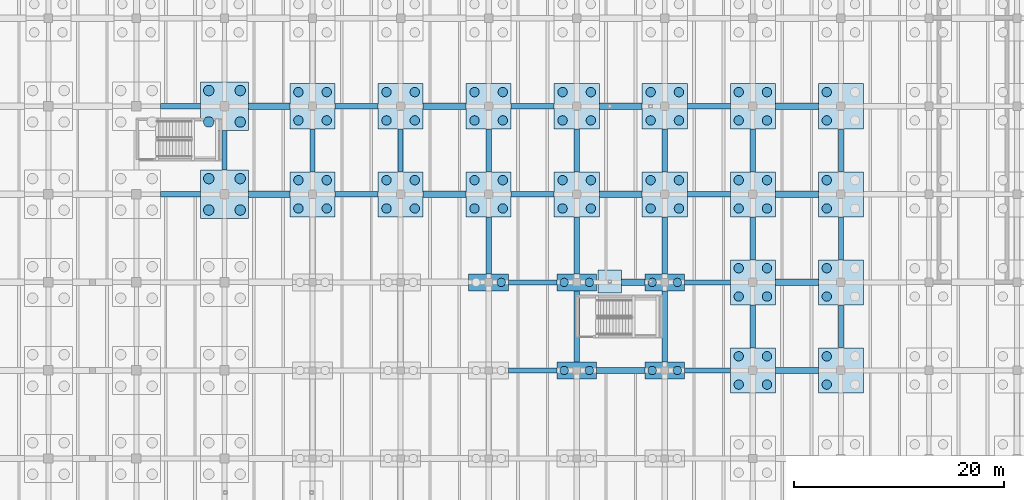
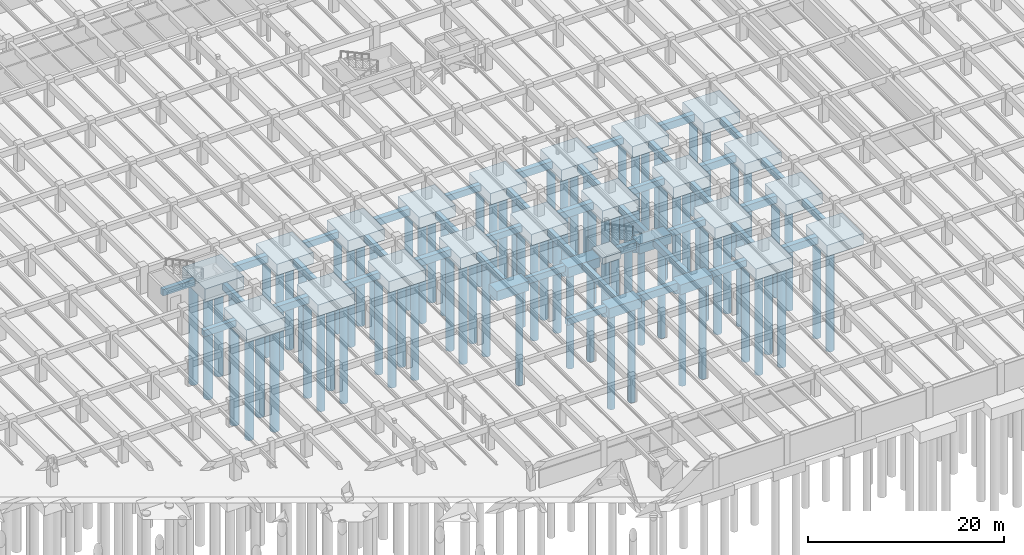
# One storey, part 5 of 70: 81 piles, 67 footings.
"""IFC4 building model written with IfcOpenShell, lengths in metres."""

from ifc_helpers import new_model, si_unit, direction, frame, origin, origin_2d, place, context, subcontext, project, spatial, rectangle, circle, extrude, material, material_profile, profile_set, type_object, element, save


model = new_model("IFC4")

# Units and contexts
model_context = context("Model", 3, precision=1e-05, world=origin(), true_north=direction((0.0, 1.0)))
body_context = subcontext(model_context, "Body", "Model", "MODEL_VIEW")
ifc_project = project(units=[si_unit("LENGTHUNIT", "METRE"), si_unit("AREAUNIT", "SQUARE_METRE"), si_unit("VOLUMEUNIT", "CUBIC_METRE"), si_unit("PLANEANGLEUNIT", "RADIAN"), si_unit("MASSUNIT", "GRAM", prefix="KILO")], contexts=[model_context])

# Site, building, storey
site_placement = place(None, origin())
site = spatial("IfcSite", under=ifc_project, at=site_placement, CompositionType="ELEMENT")
building_placement = place(site_placement, origin())
building = spatial("IfcBuilding", under=site, at=building_placement, Name="Cumbredor Promenade Congress Hotel", CompositionType="ELEMENT")
storey_placement = place(building_placement, frame((0.0, 0.0, -7.56005859375)))
storey = spatial("IfcBuildingStorey", under=building, at=storey_placement, Name="B02", CompositionType="ELEMENT", Elevation=-7.56005859375)

# Piles
ifc_material = material(Name="Concrete C40/50", Category="concrete")
ifc_material_profile_1 = material_profile(ifc_material, circle(Radius=0.39990234375, at=origin_2d()), Name="PILE D800")
ifc_profile_set_1 = profile_set([ifc_material_profile_1], Name="Concrete C40/50")
pile_type_1 = type_object("IfcPileType", Name="Bored Concrete Pile BP-01 800mm", PredefinedType="BORED", material=ifc_profile_set_1)
for number, where, z_axis, x_axis, name in (
    (1, (93.60009765625, 50.39990234375, -1.550048828125), (0.0, 0.0, -1.0), (1.0, 0.0, 0.0), "Bored Pile PC-01-147.2"),
    (2, (99.60009765625, 42.0, -1.550048828125), (0.0, 0.0, -1.0), (1.0, 0.0, 0.0), "Bored Pile PC-01-160.1"),
    (3, (102.0, 42.0, -1.550048828125), (0.0, 0.0, -1.0), (1.0, 0.0, 0.0), "Bored Pile PC-01-160.2"),
    (4, (99.60009765625, 50.39990234375, -1.550048828125), (0.0, 0.0, -1.0), (1.0, 0.0, 0.0), "Bored Pile PC-01-161.1"),
    (5, (102.0, 50.39990234375, -1.550048828125), (0.0, 0.0, -1.0), (1.0, 0.0, 0.0), "Bored Pile PC-01-161.2"),
    (6, (108.0, 42.0, -1.550048828125), (0.0, 0.0, -1.0), (1.0, 0.0, 0.0), "Bored Pile PC-01-174.1"),
    (7, (110.39990234375, 42.0, -1.550048828125), (0.0, 0.0, -1.0), (1.0, 0.0, 0.0), "Bored Pile PC-01-174.2"),
    (8, (108.0, 50.39990234375, -1.550048828125), (0.0, 0.0, -1.0), (1.0, 0.0, 0.0), "Bored Pile PC-01-175.1"),
    (9, (110.39990234375, 50.39990234375, -1.550048828125), (0.0, 0.0, -1.0), (1.0, 0.0, 0.0), "Bored Pile PC-01-175.2"),
):
    element("IfcPile", number, at=place(storey_placement, frame(where, z_axis=z_axis, x_axis=x_axis)), inside=storey, type_object=pile_type_1, Name=name, PredefinedType="BORED", context=body_context, shape_type="SweptSolid", body=[
        extrude(circle(Radius=0.39990234375, at=origin_2d()), origin(), (0.0, 0.0, 1.0), 12.0),
    ])
ifc_material_profile_2 = material_profile(ifc_material, circle(Radius=0.449951171875, at=origin_2d()), Name="PILE D900")
ifc_profile_set_2 = profile_set([ifc_material_profile_2], Name="Concrete C40/50")
pile_type_2 = type_object("IfcPileType", Name="Bored Concrete Pile BP-02 900mm", PredefinedType="BORED", material=ifc_profile_set_2)
for number, where, z_axis, x_axis, name in (
    (10, (74.25, 57.449951171875, -1.75), (0.0, 0.0, -1.0), (1.0, 0.0, 0.0), "Bored Pile PC-02-120.1"),
    (11, (76.949951171875, 57.449951171875, -1.75), (0.0, 0.0, -1.0), (1.0, 0.0, 0.0), "Bored Pile PC-02-120.2"),
    (12, (74.25, 60.14990234375, -1.75), (0.0, 0.0, -1.0), (1.0, 0.0, 0.0), "Bored Pile PC-02-120.3"),
    (13, (76.949951171875, 60.14990234375, -1.75), (0.0, 0.0, -1.0), (1.0, 0.0, 0.0), "Bored Pile PC-02-120.4"),
    (14, (74.25, 65.85009765625, -1.75), (0.0, 0.0, -1.0), (1.0, 0.0, 0.0), "Bored Pile PC-02-121.1"),
    (15, (76.949951171875, 65.85009765625, -1.75), (0.0, 0.0, -1.0), (1.0, 0.0, 0.0), "Bored Pile PC-02-121.2"),
    (16, (74.25, 68.550048828125, -1.75), (0.0, 0.0, -1.0), (1.0, 0.0, 0.0), "Bored Pile PC-02-121.3"),
    (17, (76.949951171875, 68.550048828125, -1.75), (0.0, 0.0, -1.0), (1.0, 0.0, 0.0), "Bored Pile PC-02-121.4"),
    (18, (82.64990234375, 57.449951171875, -1.75), (0.0, 0.0, -1.0), (1.0, 0.0, 0.0), "Bored Pile PC-02-134.1"),
    (19, (85.35009765625, 57.449951171875, -1.75), (0.0, 0.0, -1.0), (1.0, 0.0, 0.0), "Bored Pile PC-02-134.2"),
    (20, (82.64990234375, 60.14990234375, -1.75), (0.0, 0.0, -1.0), (1.0, 0.0, 0.0), "Bored Pile PC-02-134.3"),
    (21, (85.35009765625, 60.14990234375, -1.75), (0.0, 0.0, -1.0), (1.0, 0.0, 0.0), "Bored Pile PC-02-134.4"),
    (22, (82.64990234375, 65.85009765625, -1.75), (0.0, 0.0, -1.0), (1.0, 0.0, 0.0), "Bored Pile PC-02-135.1"),
    (23, (85.35009765625, 65.85009765625, -1.75), (0.0, 0.0, -1.0), (1.0, 0.0, 0.0), "Bored Pile PC-02-135.2"),
    (24, (82.64990234375, 68.550048828125, -1.75), (0.0, 0.0, -1.0), (1.0, 0.0, 0.0), "Bored Pile PC-02-135.3"),
    (25, (85.35009765625, 68.550048828125, -1.75), (0.0, 0.0, -1.0), (1.0, 0.0, 0.0), "Bored Pile PC-02-135.4"),
    (26, (91.050048828125, 57.449951171875, -1.75), (0.0, 0.0, -1.0), (1.0, 0.0, 0.0), "Bored Pile PC-02-148.1"),
    (27, (93.75, 57.449951171875, -1.75), (0.0, 0.0, -1.0), (1.0, 0.0, 0.0), "Bored Pile PC-02-148.2"),
    (28, (91.050048828125, 60.14990234375, -1.75), (0.0, 0.0, -1.0), (1.0, 0.0, 0.0), "Bored Pile PC-02-148.3"),
    (29, (93.75, 60.14990234375, -1.75), (0.0, 0.0, -1.0), (1.0, 0.0, 0.0), "Bored Pile PC-02-148.4"),
    (30, (91.050048828125, 65.85009765625, -1.75), (0.0, 0.0, -1.0), (1.0, 0.0, 0.0), "Bored Pile PC-02-149.1"),
    (31, (93.75, 65.85009765625, -1.75), (0.0, 0.0, -1.0), (1.0, 0.0, 0.0), "Bored Pile PC-02-149.2"),
    (32, (91.050048828125, 68.550048828125, -1.75), (0.0, 0.0, -1.0), (1.0, 0.0, 0.0), "Bored Pile PC-02-149.3"),
    (33, (93.75, 68.550048828125, -1.75), (0.0, 0.0, -1.0), (1.0, 0.0, 0.0), "Bored Pile PC-02-149.4"),
    (34, (99.449951171875, 57.449951171875, -1.75), (0.0, 0.0, -1.0), (1.0, 0.0, 0.0), "Bored Pile PC-02-162.1"),
    (35, (102.14990234375, 57.449951171875, -1.75), (0.0, 0.0, -1.0), (1.0, 0.0, 0.0), "Bored Pile PC-02-162.2"),
    (36, (99.449951171875, 60.14990234375, -1.75), (0.0, 0.0, -1.0), (1.0, 0.0, 0.0), "Bored Pile PC-02-162.3"),
    (37, (102.14990234375, 60.14990234375, -1.75), (0.0, 0.0, -1.0), (1.0, 0.0, 0.0), "Bored Pile PC-02-162.4"),
    (38, (99.449951171875, 65.85009765625, -1.75), (0.0, 0.0, -1.0), (1.0, 0.0, 0.0), "Bored Pile PC-02-163.1"),
    (39, (102.14990234375, 65.85009765625, -1.75), (0.0, 0.0, -1.0), (1.0, 0.0, 0.0), "Bored Pile PC-02-163.2"),
    (40, (99.449951171875, 68.550048828125, -1.75), (0.0, 0.0, -1.0), (1.0, 0.0, 0.0), "Bored Pile PC-02-163.3"),
    (41, (102.14990234375, 68.550048828125, -1.75), (0.0, 0.0, -1.0), (1.0, 0.0, 0.0), "Bored Pile PC-02-163.4"),
    (42, (107.85009765625, 57.449951171875, -1.75), (0.0, 0.0, -1.0), (1.0, 0.0, 0.0), "Bored Pile PC-02-176.1"),
    (43, (110.550048828125, 57.449951171875, -1.75), (0.0, 0.0, -1.0), (1.0, 0.0, 0.0), "Bored Pile PC-02-176.2"),
    (44, (107.85009765625, 60.14990234375, -1.75), (0.0, 0.0, -1.0), (1.0, 0.0, 0.0), "Bored Pile PC-02-176.3"),
    (45, (110.550048828125, 60.14990234375, -1.75), (0.0, 0.0, -1.0), (1.0, 0.0, 0.0), "Bored Pile PC-02-176.4"),
    (46, (107.85009765625, 65.85009765625, -1.75), (0.0, 0.0, -1.0), (1.0, 0.0, 0.0), "Bored Pile PC-02-177.1"),
    (47, (110.550048828125, 65.85009765625, -1.75), (0.0, 0.0, -1.0), (1.0, 0.0, 0.0), "Bored Pile PC-02-177.2"),
    (48, (107.85009765625, 68.550048828125, -1.75), (0.0, 0.0, -1.0), (1.0, 0.0, 0.0), "Bored Pile PC-02-177.3"),
    (49, (110.550048828125, 68.550048828125, -1.75), (0.0, 0.0, -1.0), (1.0, 0.0, 0.0), "Bored Pile PC-02-177.4"),
    (50, (116.25, 40.64990234375, -1.75), (0.0, 0.0, -1.0), (1.0, 0.0, 0.0), "Bored Pile PC-02-188.1"),
    (51, (118.949951171875, 40.64990234375, -1.75), (0.0, 0.0, -1.0), (1.0, 0.0, 0.0), "Bored Pile PC-02-188.2"),
    (52, (116.25, 43.35009765625, -1.75), (0.0, 0.0, -1.0), (1.0, 0.0, 0.0), "Bored Pile PC-02-188.3"),
    (53, (118.949951171875, 43.35009765625, -1.75), (0.0, 0.0, -1.0), (1.0, 0.0, 0.0), "Bored Pile PC-02-188.4"),
    (54, (116.25, 49.050048828125, -1.75), (0.0, 0.0, -1.0), (1.0, 0.0, 0.0), "Bored Pile PC-02-189.1"),
    (55, (118.949951171875, 49.050048828125, -1.75), (0.0, 0.0, -1.0), (1.0, 0.0, 0.0), "Bored Pile PC-02-189.2"),
    (56, (116.25, 51.75, -1.75), (0.0, 0.0, -1.0), (1.0, 0.0, 0.0), "Bored Pile PC-02-189.3"),
    (57, (118.949951171875, 51.75, -1.75), (0.0, 0.0, -1.0), (1.0, 0.0, 0.0), "Bored Pile PC-02-189.4"),
    (58, (116.25, 57.449951171875, -1.75), (0.0, 0.0, -1.0), (1.0, 0.0, 0.0), "Bored Pile PC-02-190.1"),
    (59, (118.949951171875, 57.449951171875, -1.75), (0.0, 0.0, -1.0), (1.0, 0.0, 0.0), "Bored Pile PC-02-190.2"),
    (60, (116.25, 60.14990234375, -1.75), (0.0, 0.0, -1.0), (1.0, 0.0, 0.0), "Bored Pile PC-02-190.3"),
    (61, (118.949951171875, 60.14990234375, -1.75), (0.0, 0.0, -1.0), (1.0, 0.0, 0.0), "Bored Pile PC-02-190.4"),
    (62, (116.25, 65.85009765625, -1.75), (0.0, 0.0, -1.0), (1.0, 0.0, 0.0), "Bored Pile PC-02-191.1"),
    (63, (118.949951171875, 65.85009765625, -1.75), (0.0, 0.0, -1.0), (1.0, 0.0, 0.0), "Bored Pile PC-02-191.2"),
    (64, (116.25, 68.550048828125, -1.75), (0.0, 0.0, -1.0), (1.0, 0.0, 0.0), "Bored Pile PC-02-191.3"),
    (65, (118.949951171875, 68.550048828125, -1.75), (0.0, 0.0, -1.0), (1.0, 0.0, 0.0), "Bored Pile PC-02-191.4"),
    (66, (124.64990234375, 40.64990234375, -1.75), (0.0, 0.0, -1.0), (1.0, 0.0, 0.0), "Bored Pile PC-02-202.1"),
    (67, (124.64990234375, 43.35009765625, -1.75), (0.0, 0.0, -1.0), (1.0, 0.0, 0.0), "Bored Pile PC-02-202.3"),
    (68, (124.64990234375, 49.050048828125, -1.75), (0.0, 0.0, -1.0), (1.0, 0.0, 0.0), "Bored Pile PC-02-203.1"),
    (69, (124.64990234375, 51.75, -1.75), (0.0, 0.0, -1.0), (1.0, 0.0, 0.0), "Bored Pile PC-02-203.3"),
    (70, (124.64990234375, 57.449951171875, -1.75), (0.0, 0.0, -1.0), (1.0, 0.0, 0.0), "Bored Pile PC-02-204.1"),
    (71, (124.64990234375, 60.14990234375, -1.75), (0.0, 0.0, -1.0), (1.0, 0.0, 0.0), "Bored Pile PC-02-204.3"),
    (72, (124.64990234375, 65.85009765625, -1.75), (0.0, 0.0, -1.0), (1.0, 0.0, 0.0), "Bored Pile PC-02-205.1"),
    (73, (124.64990234375, 68.550048828125, -1.75), (0.0, 0.0, -1.0), (1.0, 0.0, 0.0), "Bored Pile PC-02-205.3"),
):
    element("IfcPile", number, at=place(storey_placement, frame(where, z_axis=z_axis, x_axis=x_axis)), inside=storey, type_object=pile_type_2, Name=name, PredefinedType="BORED", context=body_context, shape_type="SweptSolid", body=[
        extrude(circle(Radius=0.449951171875, at=origin_2d()), origin(), (0.0, 0.0, 1.0), 12.5),
    ])
ifc_material_profile_3 = material_profile(ifc_material, circle(Radius=0.5, at=origin_2d()), Name="PILE D1000")
ifc_profile_set_3 = profile_set([ifc_material_profile_3], Name="Concrete C40/50")
pile_type_3 = type_object("IfcPileType", Name="Bored Concrete Pile BP-03 1000mm", PredefinedType="BORED", material=ifc_profile_set_3)
for number, where, z_axis, x_axis, name in (
    (74, (65.699951171875, 57.300048828125, -1.949951171875), (0.0, 0.0, -1.0), (1.0, 0.0, 0.0), "Bored Pile PC-03-106.1"),
    (75, (68.699951171875, 57.300048828125, -1.949951171875), (0.0, 0.0, -1.0), (1.0, 0.0, 0.0), "Bored Pile PC-03-106.2"),
    (76, (65.699951171875, 60.300048828125, -1.949951171875), (0.0, 0.0, -1.0), (1.0, 0.0, 0.0), "Bored Pile PC-03-106.3"),
    (77, (68.699951171875, 60.300048828125, -1.949951171875), (0.0, 0.0, -1.0), (1.0, 0.0, 0.0), "Bored Pile PC-03-106.4"),
    (78, (65.699951171875, 65.699951171875, -1.949951171875), (0.0, 0.0, -1.0), (1.0, 0.0, 0.0), "Bored Pile PC-03-107.1"),
    (79, (68.699951171875, 65.699951171875, -1.949951171875), (0.0, 0.0, -1.0), (1.0, 0.0, 0.0), "Bored Pile PC-03-107.2"),
    (80, (65.699951171875, 68.699951171875, -1.949951171875), (0.0, 0.0, -1.0), (1.0, 0.0, 0.0), "Bored Pile PC-03-107.3"),
    (81, (68.699951171875, 68.699951171875, -1.949951171875), (0.0, 0.0, -1.0), (1.0, 0.0, 0.0), "Bored Pile PC-03-107.4"),
):
    element("IfcPile", number, at=place(storey_placement, frame(where, z_axis=z_axis, x_axis=x_axis)), inside=storey, type_object=pile_type_3, Name=name, PredefinedType="BORED", context=body_context, shape_type="SweptSolid", body=[
        extrude(circle(Radius=0.5, at=origin_2d()), origin(), (0.0, 0.0, 1.0), 12.800048828125),
    ])

# Footings
ifc_material_profile_4 = material_profile(ifc_material, rectangle(XDim=0.5, YDim=0.800048828125, at=origin_2d()), Name="FB 500x800")
ifc_profile_set_4 = profile_set([ifc_material_profile_4], Name="Concrete C40/50")
footing_type_1 = type_object("IfcFootingType", Name="Concrete Footing Tie Beam FB-01 500x800", PredefinedType="FOOTING_BEAM", material=ifc_profile_set_4)
for number, where, z_axis, x_axis, name in (
    (82, (61.10205078125, 58.800048828125, -0.89990234375), (1.0, 0.0, 0.0), (0.0, 1.0, 0.0), "Seismic Footing Tie Beam FB-167"),
    (83, (61.10205078125, 67.199951171875, -0.89990234375), (1.0, 0.0, 0.0), (0.0, 1.0, 0.0), "Seismic Footing Tie Beam FB-169"),
    (84, (67.199951171875, 61.10205078125, -0.89990234375), (0.0, 1.0, 0.0), (-1.0, 0.0, 0.0), "Seismic Footing Tie Beam FB-195"),
):
    element("IfcFooting", number, at=place(storey_placement, frame(where, z_axis=z_axis, x_axis=x_axis)), inside=storey, type_object=footing_type_1, Name=name, PredefinedType="FOOTING_BEAM", context=body_context, shape_type="SweptSolid", body=[
        extrude(rectangle(XDim=0.5, YDim=0.800048828125, at=origin_2d()), origin(), (0.0, 0.0, 1.0), 3.7958984375),
    ])
footing_1_placement = place(storey_placement, frame((77.751953125, 58.800048828125, -0.89990234375), z_axis=(1.0, 0.0, 0.0), x_axis=(0.0, 1.0, 0.0)))
element("IfcFooting", 85, at=footing_1_placement, inside=storey, type_object=footing_type_1, Name="Seismic Footing Tie Beam FB-221", PredefinedType="FOOTING_BEAM", context=body_context, shape_type="SweptSolid", body=[
    extrude(rectangle(XDim=0.5, YDim=0.800048828125, at=origin_2d()), origin(), (0.0, 0.0, 1.0), 4.095947265625),
])
footing_2_placement = place(storey_placement, frame((75.60009765625, 60.951904296875, -0.89990234375), z_axis=(0.0, 1.0, 0.0), x_axis=(-1.0, 0.0, 0.0)))
element("IfcFooting", 86, at=footing_2_placement, inside=storey, type_object=footing_type_1, Name="Seismic Footing Tie Beam FB-222", PredefinedType="FOOTING_BEAM", context=body_context, shape_type="SweptSolid", body=[
    extrude(rectangle(XDim=0.5, YDim=0.800048828125, at=origin_2d()), origin(), (0.0, 0.0, 1.0), 4.09619140625),
])
footing_3_placement = place(storey_placement, frame((77.751953125, 67.199951171875, -0.89990234375), z_axis=(1.0, 0.0, 0.0), x_axis=(0.0, 1.0, 0.0)))
element("IfcFooting", 87, at=footing_3_placement, inside=storey, type_object=footing_type_1, Name="Seismic Footing Tie Beam FB-223", PredefinedType="FOOTING_BEAM", context=body_context, shape_type="SweptSolid", body=[
    extrude(rectangle(XDim=0.5, YDim=0.800048828125, at=origin_2d()), origin(), (0.0, 0.0, 1.0), 4.095947265625),
])
footing_4_placement = place(storey_placement, frame((84.0, 60.951904296875, -0.89990234375), z_axis=(0.0, 1.0, 0.0), x_axis=(-1.0, 0.0, 0.0)))
element("IfcFooting", 88, at=footing_4_placement, inside=storey, type_object=footing_type_1, Name="Seismic Footing Tie Beam FB-249", PredefinedType="FOOTING_BEAM", context=body_context, shape_type="SweptSolid", body=[
    extrude(rectangle(XDim=0.5, YDim=0.800048828125, at=origin_2d()), origin(), (0.0, 0.0, 1.0), 4.09619140625),
])
for number, where, z_axis, x_axis, name in (
    (89, (94.302001953125, 42.0, -0.89990234375), (1.0, 0.0, 0.0), (0.0, 1.0, 0.0), "Seismic Footing Tie Beam FB-271"),
    (90, (94.302001953125, 50.39990234375, -0.89990234375), (1.0, 0.0, 0.0), (0.0, 1.0, 0.0), "Seismic Footing Tie Beam FB-273"),
):
    element("IfcFooting", number, at=place(storey_placement, frame(where, z_axis=z_axis, x_axis=x_axis)), inside=storey, type_object=footing_type_1, Name=name, PredefinedType="FOOTING_BEAM", context=body_context, shape_type="SweptSolid", body=[
        extrude(rectangle(XDim=0.5, YDim=0.800048828125, at=origin_2d()), origin(), (0.0, 0.0, 1.0), 4.595947265625),
    ])
footing_5_placement = place(storey_placement, frame((92.39990234375, 51.201904296875, -0.89990234375), z_axis=(0.0, 1.0, 0.0), x_axis=(-1.0, 0.0, 0.0)))
element("IfcFooting", 91, at=footing_5_placement, inside=storey, type_object=footing_type_1, Name="Seismic Footing Tie Beam FB-274", PredefinedType="FOOTING_BEAM", context=body_context, shape_type="SweptSolid", body=[
    extrude(rectangle(XDim=0.5, YDim=0.800048828125, at=origin_2d()), origin(), (0.0, 0.0, 1.0), 5.446044921875),
])
footing_6_placement = place(storey_placement, frame((94.552001953125, 58.800048828125, -0.89990234375), z_axis=(1.0, 0.0, 0.0), x_axis=(0.0, 1.0, 0.0)))
element("IfcFooting", 92, at=footing_6_placement, inside=storey, type_object=footing_type_1, Name="Seismic Footing Tie Beam FB-275", PredefinedType="FOOTING_BEAM", context=body_context, shape_type="SweptSolid", body=[
    extrude(rectangle(XDim=0.5, YDim=0.800048828125, at=origin_2d()), origin(), (0.0, 0.0, 1.0), 4.095947265625),
])
footing_7_placement = place(storey_placement, frame((92.39990234375, 60.951904296875, -0.89990234375), z_axis=(0.0, 1.0, 0.0), x_axis=(-1.0, 0.0, 0.0)))
element("IfcFooting", 93, at=footing_7_placement, inside=storey, type_object=footing_type_1, Name="Seismic Footing Tie Beam FB-276", PredefinedType="FOOTING_BEAM", context=body_context, shape_type="SweptSolid", body=[
    extrude(rectangle(XDim=0.5, YDim=0.800048828125, at=origin_2d()), origin(), (0.0, 0.0, 1.0), 4.09619140625),
])
footing_8_placement = place(storey_placement, frame((94.552001953125, 67.199951171875, -0.89990234375), z_axis=(1.0, 0.0, 0.0), x_axis=(0.0, 1.0, 0.0)))
element("IfcFooting", 94, at=footing_8_placement, inside=storey, type_object=footing_type_1, Name="Seismic Footing Tie Beam FB-277", PredefinedType="FOOTING_BEAM", context=body_context, shape_type="SweptSolid", body=[
    extrude(rectangle(XDim=0.5, YDim=0.800048828125, at=origin_2d()), origin(), (0.0, 0.0, 1.0), 4.095947265625),
])
footing_9_placement = place(storey_placement, frame((100.800048828125, 42.802001953125, -0.89990234375), z_axis=(0.0, 1.0, 0.0), x_axis=(-1.0, 0.0, 0.0)))
element("IfcFooting", 95, at=footing_9_placement, inside=storey, type_object=footing_type_1, Name="Seismic Footing Tie Beam FB-299", PredefinedType="FOOTING_BEAM", context=body_context, shape_type="SweptSolid", body=[
    extrude(rectangle(XDim=0.5, YDim=0.800048828125, at=origin_2d()), origin(), (0.0, 0.0, 1.0), 6.7958984375),
])
footing_10_placement = place(storey_placement, frame((100.800048828125, 51.201904296875, -0.89990234375), z_axis=(0.0, 1.0, 0.0), x_axis=(-1.0, 0.0, 0.0)))
element("IfcFooting", 96, at=footing_10_placement, inside=storey, type_object=footing_type_1, Name="Seismic Footing Tie Beam FB-301", PredefinedType="FOOTING_BEAM", context=body_context, shape_type="SweptSolid", body=[
    extrude(rectangle(XDim=0.5, YDim=0.800048828125, at=origin_2d()), origin(), (0.0, 0.0, 1.0), 5.446044921875),
])
footing_11_placement = place(storey_placement, frame((100.800048828125, 60.951904296875, -0.89990234375), z_axis=(0.0, 1.0, 0.0), x_axis=(-1.0, 0.0, 0.0)))
element("IfcFooting", 97, at=footing_11_placement, inside=storey, type_object=footing_type_1, Name="Seismic Footing Tie Beam FB-303", PredefinedType="FOOTING_BEAM", context=body_context, shape_type="SweptSolid", body=[
    extrude(rectangle(XDim=0.5, YDim=0.800048828125, at=origin_2d()), origin(), (0.0, 0.0, 1.0), 4.09619140625),
])
footing_12_placement = place(storey_placement, frame((111.10205078125, 42.0, -0.89990234375), z_axis=(1.0, 0.0, 0.0), x_axis=(0.0, 1.0, 0.0)))
element("IfcFooting", 98, at=footing_12_placement, inside=storey, type_object=footing_type_1, Name="Seismic Footing Tie Beam FB-325", PredefinedType="FOOTING_BEAM", context=body_context, shape_type="SweptSolid", body=[
    extrude(rectangle(XDim=0.5, YDim=0.800048828125, at=origin_2d()), origin(), (0.0, 0.0, 1.0), 4.345947265625),
])
footing_13_placement = place(storey_placement, frame((109.199951171875, 42.802001953125, -0.89990234375), z_axis=(0.0, 1.0, 0.0), x_axis=(-1.0, 0.0, 0.0)))
element("IfcFooting", 99, at=footing_13_placement, inside=storey, type_object=footing_type_1, Name="Seismic Footing Tie Beam FB-326", PredefinedType="FOOTING_BEAM", context=body_context, shape_type="SweptSolid", body=[
    extrude(rectangle(XDim=0.5, YDim=0.800048828125, at=origin_2d()), origin(), (0.0, 0.0, 1.0), 6.7958984375),
])
footing_14_placement = place(storey_placement, frame((111.10205078125, 50.39990234375, -0.89990234375), z_axis=(1.0, 0.0, 0.0), x_axis=(0.0, 1.0, 0.0)))
element("IfcFooting", 100, at=footing_14_placement, inside=storey, type_object=footing_type_1, Name="Seismic Footing Tie Beam FB-327", PredefinedType="FOOTING_BEAM", context=body_context, shape_type="SweptSolid", body=[
    extrude(rectangle(XDim=0.5, YDim=0.800048828125, at=origin_2d()), origin(), (0.0, 0.0, 1.0), 4.345947265625),
])
footing_15_placement = place(storey_placement, frame((109.199951171875, 51.201904296875, -0.89990234375), z_axis=(0.0, 1.0, 0.0), x_axis=(-1.0, 0.0, 0.0)))
element("IfcFooting", 101, at=footing_15_placement, inside=storey, type_object=footing_type_1, Name="Seismic Footing Tie Beam FB-328", PredefinedType="FOOTING_BEAM", context=body_context, shape_type="SweptSolid", body=[
    extrude(rectangle(XDim=0.5, YDim=0.800048828125, at=origin_2d()), origin(), (0.0, 0.0, 1.0), 5.446044921875),
])
footing_16_placement = place(storey_placement, frame((111.35205078125, 58.800048828125, -0.89990234375), z_axis=(1.0, 0.0, 0.0), x_axis=(0.0, 1.0, 0.0)))
element("IfcFooting", 102, at=footing_16_placement, inside=storey, type_object=footing_type_1, Name="Seismic Footing Tie Beam FB-329", PredefinedType="FOOTING_BEAM", context=body_context, shape_type="SweptSolid", body=[
    extrude(rectangle(XDim=0.5, YDim=0.800048828125, at=origin_2d()), origin(), (0.0, 0.0, 1.0), 4.095947265625),
])
footing_17_placement = place(storey_placement, frame((109.199951171875, 60.951904296875, -0.89990234375), z_axis=(0.0, 1.0, 0.0), x_axis=(-1.0, 0.0, 0.0)))
element("IfcFooting", 103, at=footing_17_placement, inside=storey, type_object=footing_type_1, Name="Seismic Footing Tie Beam FB-330", PredefinedType="FOOTING_BEAM", context=body_context, shape_type="SweptSolid", body=[
    extrude(rectangle(XDim=0.5, YDim=0.800048828125, at=origin_2d()), origin(), (0.0, 0.0, 1.0), 4.09619140625),
])
for number, where, z_axis, x_axis, name in (
    (104, (111.35205078125, 67.199951171875, -0.89990234375), (1.0, 0.0, 0.0), (0.0, 1.0, 0.0), "Seismic Footing Tie Beam FB-331"),
    (105, (117.60009765625, 44.152099609375, -0.89990234375), (0.0, 1.0, 0.0), (-1.0, 0.0, 0.0), "Seismic Footing Tie Beam FB-353"),
    (106, (117.60009765625, 52.552001953125, -0.89990234375), (0.0, 1.0, 0.0), (-1.0, 0.0, 0.0), "Seismic Footing Tie Beam FB-355"),
):
    element("IfcFooting", number, at=place(storey_placement, frame(where, z_axis=z_axis, x_axis=x_axis)), inside=storey, type_object=footing_type_1, Name=name, PredefinedType="FOOTING_BEAM", context=body_context, shape_type="SweptSolid", body=[
        extrude(rectangle(XDim=0.5, YDim=0.800048828125, at=origin_2d()), origin(), (0.0, 0.0, 1.0), 4.095947265625),
    ])
footing_18_placement = place(storey_placement, frame((117.60009765625, 60.951904296875, -0.89990234375), z_axis=(0.0, 1.0, 0.0), x_axis=(-1.0, 0.0, 0.0)))
element("IfcFooting", 107, at=footing_18_placement, inside=storey, type_object=footing_type_1, Name="Seismic Footing Tie Beam FB-357", PredefinedType="FOOTING_BEAM", context=body_context, shape_type="SweptSolid", body=[
    extrude(rectangle(XDim=0.5, YDim=0.800048828125, at=origin_2d()), origin(), (0.0, 0.0, 1.0), 4.09619140625),
])
for number, where, z_axis, x_axis, name in (
    (108, (126.0, 44.152099609375, -0.89990234375), (0.0, 1.0, 0.0), (-1.0, 0.0, 0.0), "Seismic Footing Tie Beam FB-380"),
    (109, (126.0, 52.552001953125, -0.89990234375), (0.0, 1.0, 0.0), (-1.0, 0.0, 0.0), "Seismic Footing Tie Beam FB-382"),
):
    element("IfcFooting", number, at=place(storey_placement, frame(where, z_axis=z_axis, x_axis=x_axis)), inside=storey, type_object=footing_type_1, Name=name, PredefinedType="FOOTING_BEAM", context=body_context, shape_type="SweptSolid", body=[
        extrude(rectangle(XDim=0.5, YDim=0.800048828125, at=origin_2d()), origin(), (0.0, 0.0, 1.0), 4.095947265625),
    ])
footing_19_placement = place(storey_placement, frame((126.0, 60.951904296875, -0.89990234375), z_axis=(0.0, 1.0, 0.0), x_axis=(-1.0, 0.0, 0.0)))
element("IfcFooting", 110, at=footing_19_placement, inside=storey, type_object=footing_type_1, Name="Seismic Footing Tie Beam FB-384", PredefinedType="FOOTING_BEAM", context=body_context, shape_type="SweptSolid", body=[
    extrude(rectangle(XDim=0.5, YDim=0.800048828125, at=origin_2d()), origin(), (0.0, 0.0, 1.0), 4.09619140625),
])
ifc_material_profile_5 = material_profile(ifc_material, rectangle(XDim=0.60009765625, YDim=0.89990234375, at=origin_2d()), Name="FB 600x900")
ifc_profile_set_5 = profile_set([ifc_material_profile_5], Name="Concrete C40/50")
footing_type_2 = type_object("IfcFootingType", Name="Concrete Footing Tie Beam FB-02 600x900", PredefinedType="FOOTING_BEAM", material=ifc_profile_set_5)
for number, where, z_axis, x_axis, name in (
    (111, (69.501953125, 58.800048828125, -0.949951171875), (1.0, 0.0, 0.0), (0.0, 1.0, 0.0), "Seismic Footing Tie Beam FB-194"),
    (112, (69.501953125, 67.199951171875, -0.949951171875), (1.0, 0.0, 0.0), (0.0, 1.0, 0.0), "Seismic Footing Tie Beam FB-196"),
):
    element("IfcFooting", number, at=place(storey_placement, frame(where, z_axis=z_axis, x_axis=x_axis)), inside=storey, type_object=footing_type_2, Name=name, PredefinedType="FOOTING_BEAM", context=body_context, shape_type="SweptSolid", body=[
        extrude(rectangle(XDim=0.60009765625, YDim=0.89990234375, at=origin_2d()), origin(), (0.0, 0.0, 1.0), 3.946044921875),
    ])
for number, where, z_axis, x_axis, name in (
    (113, (86.152099609375, 58.800048828125, -0.949951171875), (1.0, 0.0, 0.0), (0.0, 1.0, 0.0), "Seismic Footing Tie Beam FB-248"),
    (114, (86.152099609375, 67.199951171875, -0.949951171875), (1.0, 0.0, 0.0), (0.0, 1.0, 0.0), "Seismic Footing Tie Beam FB-250"),
):
    element("IfcFooting", number, at=place(storey_placement, frame(where, z_axis=z_axis, x_axis=x_axis)), inside=storey, type_object=footing_type_2, Name=name, PredefinedType="FOOTING_BEAM", context=body_context, shape_type="SweptSolid", body=[
        extrude(rectangle(XDim=0.60009765625, YDim=0.89990234375, at=origin_2d()), origin(), (0.0, 0.0, 1.0), 4.095947265625),
    ])
footing_20_placement = place(storey_placement, frame((102.701904296875, 42.0, -0.949951171875), z_axis=(1.0, 0.0, 0.0), x_axis=(0.0, 1.0, 0.0)))
element("IfcFooting", 115, at=footing_20_placement, inside=storey, type_object=footing_type_2, Name="Seismic Footing Tie Beam FB-298", PredefinedType="FOOTING_BEAM", context=body_context, shape_type="SweptSolid", body=[
    extrude(rectangle(XDim=0.60009765625, YDim=0.89990234375, at=origin_2d()), origin(), (0.0, 0.0, 1.0), 4.59619140625),
])
footing_21_placement = place(storey_placement, frame((105.052001953125, 50.39990234375, -0.949951171875), z_axis=(1.0, 0.0, 0.0), x_axis=(0.0, 1.0, 0.0)))
element("IfcFooting", 116, at=footing_21_placement, inside=storey, type_object=footing_type_2, Name="Seismic Footing Tie Beam FB-300", PredefinedType="FOOTING_BEAM", context=body_context, shape_type="SweptSolid", body=[
    extrude(rectangle(XDim=0.60009765625, YDim=0.89990234375, at=origin_2d()), origin(), (0.0, 0.0, 1.0), 2.24609375),
])
for number, where, z_axis, x_axis, name in (
    (117, (102.951904296875, 58.800048828125, -0.949951171875), (1.0, 0.0, 0.0), (0.0, 1.0, 0.0), "Seismic Footing Tie Beam FB-302"),
    (118, (102.951904296875, 67.199951171875, -0.949951171875), (1.0, 0.0, 0.0), (0.0, 1.0, 0.0), "Seismic Footing Tie Beam FB-304"),
):
    element("IfcFooting", number, at=place(storey_placement, frame(where, z_axis=z_axis, x_axis=x_axis)), inside=storey, type_object=footing_type_2, Name=name, PredefinedType="FOOTING_BEAM", context=body_context, shape_type="SweptSolid", body=[
        extrude(rectangle(XDim=0.60009765625, YDim=0.89990234375, at=origin_2d()), origin(), (0.0, 0.0, 1.0), 4.09619140625),
    ])
for number, where, z_axis, x_axis, name in (
    (119, (119.751953125, 42.0, -0.949951171875), (1.0, 0.0, 0.0), (0.0, 1.0, 0.0), "Seismic Footing Tie Beam FB-352"),
    (120, (119.751953125, 50.39990234375, -0.949951171875), (1.0, 0.0, 0.0), (0.0, 1.0, 0.0), "Seismic Footing Tie Beam FB-354"),
    (121, (119.751953125, 58.800048828125, -0.949951171875), (1.0, 0.0, 0.0), (0.0, 1.0, 0.0), "Seismic Footing Tie Beam FB-356"),
    (122, (119.751953125, 67.199951171875, -0.949951171875), (1.0, 0.0, 0.0), (0.0, 1.0, 0.0), "Seismic Footing Tie Beam FB-358"),
):
    element("IfcFooting", number, at=place(storey_placement, frame(where, z_axis=z_axis, x_axis=x_axis)), inside=storey, type_object=footing_type_2, Name=name, PredefinedType="FOOTING_BEAM", context=body_context, shape_type="SweptSolid", body=[
        extrude(rectangle(XDim=0.60009765625, YDim=0.89990234375, at=origin_2d()), origin(), (0.0, 0.0, 1.0), 4.095947265625),
    ])
footing_type_3 = type_object("IfcFootingType", Name="Concrete Pad Footing PF-01 2200x2200x800", PredefinedType="PAD_FOOTING", material=ifc_material)
footing_22_placement = place(storey_placement, frame((103.949951171875, 50.47998046875, -1.2998046875), z_axis=(0.0, 0.0, 1.0), x_axis=(1.0, 0.0, 0.0)))
element("IfcFooting", 123, at=footing_22_placement, inside=storey, type_object=footing_type_3, Name="Central Reflecting-Pool Promenade Bridge Corbel Pier Footing 1", PredefinedType="PAD_FOOTING", context=body_context, shape_type="SweptSolid", body=[
    extrude(rectangle(XDim=2.199951171875, YDim=2.199951171875, at=origin_2d()), origin(), (0.0, 0.0, 1.0), 0.800048828125),
])
footing_type_4 = type_object("IfcFootingType", Name="Concrete Pile Cap PC-01 3800x1600x1200", PredefinedType="PILE_CAP", material=ifc_material)
for number, where, z_axis, x_axis, name in (
    (124, (92.39990234375, 50.39990234375, -1.69970703125), (0.0, 0.0, 1.0), (1.0, 0.0, 0.0), "Pile Cap PC-01 147"),
    (125, (100.800048828125, 42.0, -1.69970703125), (0.0, 0.0, 1.0), (1.0, 0.0, 0.0), "Pile Cap PC-01 160"),
    (126, (100.800048828125, 50.39990234375, -1.69970703125), (0.0, 0.0, 1.0), (1.0, 0.0, 0.0), "Pile Cap PC-01 161"),
    (127, (109.199951171875, 42.0, -1.69970703125), (0.0, 0.0, 1.0), (1.0, 0.0, 0.0), "Pile Cap PC-01 174"),
    (128, (109.199951171875, 50.39990234375, -1.69970703125), (0.0, 0.0, 1.0), (1.0, 0.0, 0.0), "Pile Cap PC-01 175"),
):
    element("IfcFooting", number, at=place(storey_placement, frame(where, z_axis=z_axis, x_axis=x_axis)), inside=storey, type_object=footing_type_4, Name=name, PredefinedType="PILE_CAP", context=body_context, shape_type="SweptSolid", body=[
        extrude(rectangle(XDim=3.800048828125, YDim=1.60009765625, at=origin_2d()), origin(), (0.0, 0.0, 1.0), 1.199951171875),
    ])
footing_type_5 = type_object("IfcFootingType", Name="Concrete Pile Cap PC-02 4300x4300x1400", PredefinedType="PILE_CAP", material=ifc_material)
for number, where, z_axis, x_axis, name in (
    (129, (75.60009765625, 58.800048828125, -1.89990234375), (0.0, 0.0, 1.0), (1.0, 0.0, 0.0), "Pile Cap PC-02 120"),
    (130, (75.60009765625, 67.199951171875, -1.89990234375), (0.0, 0.0, 1.0), (1.0, 0.0, 0.0), "Pile Cap PC-02 121"),
    (131, (84.0, 58.800048828125, -1.89990234375), (0.0, 0.0, 1.0), (1.0, 0.0, 0.0), "Pile Cap PC-02 134"),
    (132, (84.0, 67.199951171875, -1.89990234375), (0.0, 0.0, 1.0), (1.0, 0.0, 0.0), "Pile Cap PC-02 135"),
    (133, (92.39990234375, 58.800048828125, -1.89990234375), (0.0, 0.0, 1.0), (1.0, 0.0, 0.0), "Pile Cap PC-02 148"),
    (134, (92.39990234375, 67.199951171875, -1.89990234375), (0.0, 0.0, 1.0), (1.0, 0.0, 0.0), "Pile Cap PC-02 149"),
    (135, (100.800048828125, 58.800048828125, -1.89990234375), (0.0, 0.0, 1.0), (1.0, 0.0, 0.0), "Pile Cap PC-02 162"),
    (136, (100.800048828125, 67.199951171875, -1.89990234375), (0.0, 0.0, 1.0), (1.0, 0.0, 0.0), "Pile Cap PC-02 163"),
    (137, (109.199951171875, 58.800048828125, -1.89990234375), (0.0, 0.0, 1.0), (1.0, 0.0, 0.0), "Pile Cap PC-02 176"),
    (138, (109.199951171875, 67.199951171875, -1.89990234375), (0.0, 0.0, 1.0), (1.0, 0.0, 0.0), "Pile Cap PC-02 177"),
    (139, (117.60009765625, 42.0, -1.89990234375), (0.0, 0.0, 1.0), (1.0, 0.0, 0.0), "Pile Cap PC-02 188"),
    (140, (117.60009765625, 50.39990234375, -1.89990234375), (0.0, 0.0, 1.0), (1.0, 0.0, 0.0), "Pile Cap PC-02 189"),
    (141, (117.60009765625, 58.800048828125, -1.89990234375), (0.0, 0.0, 1.0), (1.0, 0.0, 0.0), "Pile Cap PC-02 190"),
    (142, (117.60009765625, 67.199951171875, -1.89990234375), (0.0, 0.0, 1.0), (1.0, 0.0, 0.0), "Pile Cap PC-02 191"),
    (143, (126.0, 42.0, -1.89990234375), (0.0, 0.0, 1.0), (1.0, 0.0, 0.0), "Pile Cap PC-02 202"),
    (144, (126.0, 50.39990234375, -1.89990234375), (0.0, 0.0, 1.0), (1.0, 0.0, 0.0), "Pile Cap PC-02 203"),
    (145, (126.0, 58.800048828125, -1.89990234375), (0.0, 0.0, 1.0), (1.0, 0.0, 0.0), "Pile Cap PC-02 204"),
    (146, (126.0, 67.199951171875, -1.89990234375), (0.0, 0.0, 1.0), (1.0, 0.0, 0.0), "Pile Cap PC-02 205"),
):
    element("IfcFooting", number, at=place(storey_placement, frame(where, z_axis=z_axis, x_axis=x_axis)), inside=storey, type_object=footing_type_5, Name=name, PredefinedType="PILE_CAP", context=body_context, shape_type="SweptSolid", body=[
        extrude(rectangle(XDim=4.300048828125, YDim=4.300048828125, at=origin_2d()), origin(), (0.0, 0.0, 1.0), 1.39990234375),
    ])
footing_type_6 = type_object("IfcFootingType", Name="Concrete Pile Cap PC-03 4600x4600x1600", PredefinedType="PILE_CAP", material=ifc_material)
for number, where, z_axis, x_axis, name in (
    (147, (67.199951171875, 58.800048828125, -2.10009765625), (0.0, 0.0, 1.0), (1.0, 0.0, 0.0), "Pile Cap PC-03 106"),
    (148, (67.199951171875, 67.199951171875, -2.10009765625), (0.0, 0.0, 1.0), (1.0, 0.0, 0.0), "Pile Cap PC-03 107"),
):
    element("IfcFooting", number, at=place(storey_placement, frame(where, z_axis=z_axis, x_axis=x_axis)), inside=storey, type_object=footing_type_6, Name=name, PredefinedType="PILE_CAP", context=body_context, shape_type="SweptSolid", body=[
        extrude(rectangle(XDim=4.60009765625, YDim=4.60009765625, at=origin_2d()), origin(), (0.0, 0.0, 1.0), 1.60009765625),
    ])

save(model, "model.ifc")
